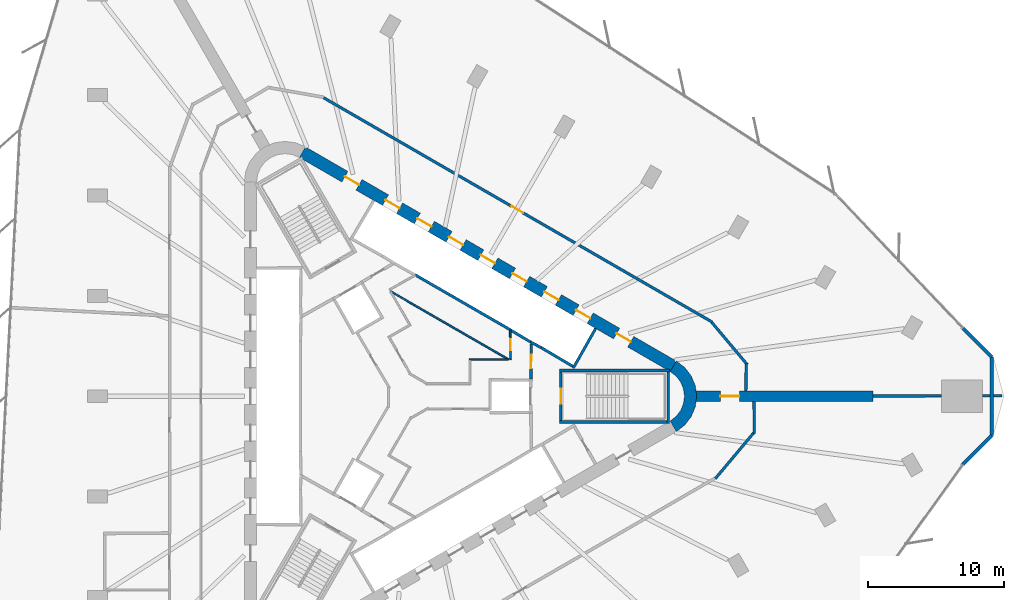
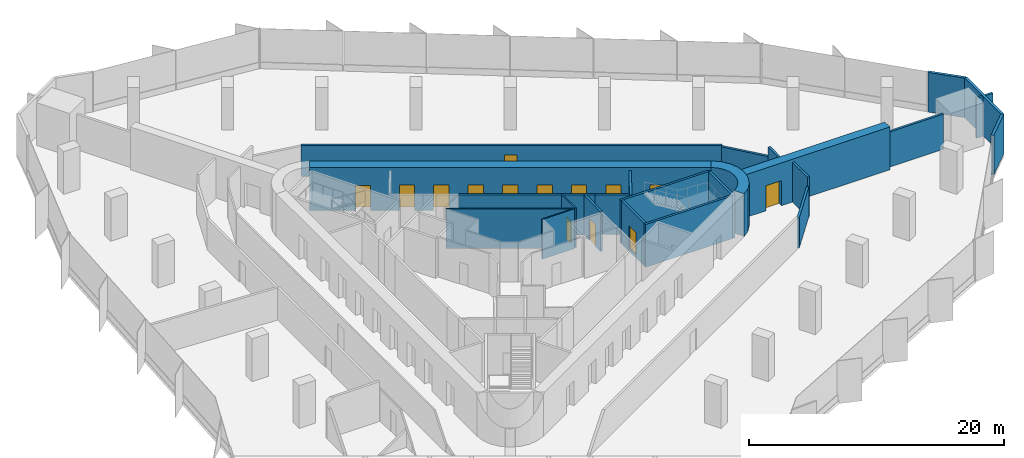
# One storey, part 12 of 14: 27 walls, 14 doors, 14 openings.
"""IFC4 building model written with IfcOpenShell, lengths in metres."""

import ifcopenshell
import ifcopenshell.guid

model = None  # the IFC model being written
_history = None  # IfcOwnerHistory: only IFC2X3 demands one
_inside = {}  # id of a spatial element -> (the spatial element, [elements in it])
_under = {}  # id of a project, library or spatial element -> (it, [spatial elements below it])
_declared = {}  # id of a project -> (the project, [libraries it declares])
_typed = {}  # id of a type object -> (the type object, [elements of that type])
_made_of = {}  # id of a material, layer set ... -> (it, [elements and type objects made of it])


def new_model(schema):
    """Start an empty IFC model of exactly this schema.

    Asked for "IFC4X3", IfcOpenShell would pick the latest addendum, in which some entities
    have other attributes; the version numbers below select the first issue.
    IFC2X3 requires an IfcOwnerHistory on every rooted entity: one is made here for all.
    """
    global model, _history
    if schema == "IFC4X3":
        model = ifcopenshell.file(schema_version=(4, 3, 0, 0))
    else:
        model = ifcopenshell.file(schema=schema)
    _inside.clear()
    _under.clear()
    _declared.clear()
    _typed.clear()
    _made_of.clear()
    _history = None
    if model.schema == "IFC2X3":
        org = make("IfcOrganization", Name="unknown")
        user = make(
            "IfcPersonAndOrganization",
            ThePerson=make("IfcPerson", FamilyName="unknown"),
            TheOrganization=org,
        )
        app = make(
            "IfcApplication",
            ApplicationDeveloper=org,
            Version="unknown",
            ApplicationFullName="unknown",
            ApplicationIdentifier="unknown",
        )
        _history = make(
            "IfcOwnerHistory",
            OwningUser=user,
            OwningApplication=app,
            ChangeAction="ADDED",
            CreationDate=0,
        )
    return model


def make(cls, **values):
    """One entity of the class cls with the attributes given. An attribute that is None is left unset."""
    return model.create_entity(
        cls, **{name: value for name, value in values.items() if value is not None}
    )


def rooted(cls, **values):
    """An entity with a GlobalId (a new one), such as an element, a storey or a relation."""
    return make(cls, GlobalId=ifcopenshell.guid.new(), OwnerHistory=_history, **values)


def si_unit(unit_type, name, prefix=None):
    """IfcSIUnit, for example si_unit("LENGTHUNIT", "METRE", prefix="MILLI")."""
    return make("IfcSIUnit", UnitType=unit_type, Prefix=prefix, Name=name)


def assignment(units):
    """IfcUnitAssignment: the units of a project."""
    return None if units is None else make("IfcUnitAssignment", Units=units)


def point(xyz):
    """IfcCartesianPoint."""
    return None if xyz is None else make("IfcCartesianPoint", Coordinates=xyz)


def direction(xyz):
    """IfcDirection."""
    return None if xyz is None else make("IfcDirection", DirectionRatios=xyz)


def frame(location, z_axis=None, x_axis=None):
    """IfcAxis2Placement3D, a coordinate frame: its origin and axes. An axis left out is left unset."""
    return make(
        "IfcAxis2Placement3D",
        Location=point(location),
        Axis=direction(z_axis),
        RefDirection=direction(x_axis),
    )


def frame_2d(location, x_axis=None):
    """IfcAxis2Placement2D, a coordinate frame in the plane: its origin and x axis."""
    return make(
        "IfcAxis2Placement2D", Location=point(location), RefDirection=direction(x_axis)
    )


def origin():
    """The frame at (0, 0, 0) with its axes left unset."""
    return frame((0.0, 0.0, 0.0))


def place(relative_to, where):
    """IfcLocalPlacement: puts the frame where relative to a parent placement (None: the world)."""
    return make(
        "IfcLocalPlacement", PlacementRelTo=relative_to, RelativePlacement=where
    )


def context(
    kind, dimensions, precision=None, world=None, true_north=None, identifier=None
):
    """IfcGeometricRepresentationContext, for example the 3D "Model" context."""
    return make(
        "IfcGeometricRepresentationContext",
        ContextIdentifier=identifier,
        ContextType=kind,
        CoordinateSpaceDimension=dimensions,
        Precision=precision,
        WorldCoordinateSystem=world,
        TrueNorth=true_north,
    )


def subcontext(parent, identifier, kind, view, scale=None):
    """IfcGeometricRepresentationSubContext, for example "Body" below "Model"."""
    return make(
        "IfcGeometricRepresentationSubContext",
        ContextIdentifier=identifier,
        ContextType=kind,
        ParentContext=parent,
        TargetScale=scale,
        TargetView=view,
    )


def project(units=None, contexts=None):
    """IfcProject with its units and contexts."""
    return rooted(
        "IfcProject",
        Name="project",
        RepresentationContexts=contexts,
        UnitsInContext=assignment(units),
    )


def spatial(cls, under=None, at=None, **own):
    """A site, building, storey or space (cls), placed at a placement, below another one or the project."""
    s = rooted(cls, ObjectPlacement=at, **own)
    if under is not None:
        _under.setdefault(under.id(), (under, []))[1].append(s)
    return s


def polyline(points):
    """IfcPolyline through the points."""
    return make("IfcPolyline", Points=[point(p) for p in points])


def profile(cls, at=None, kind="AREA", **sizes):
    """A parametric profile (cls). Its sizes go by their IFC names, for example OverallWidth=200.0."""
    return make(cls, ProfileType=kind, Position=at, **sizes)


def rectangle(**sizes):
    """IfcRectangleProfileDef."""
    return profile("IfcRectangleProfileDef", **sizes)


def outline(outer, holes=None, kind="AREA"):
    """IfcArbitraryClosedProfileDef: a profile drawn as a closed curve; with holes, ...WithVoids."""
    if holes is None:
        return make("IfcArbitraryClosedProfileDef", ProfileType=kind, OuterCurve=outer)
    return make(
        "IfcArbitraryProfileDefWithVoids",
        ProfileType=kind,
        OuterCurve=outer,
        InnerCurves=holes,
    )


def extrude(swept, where, along, depth):
    """IfcExtrudedAreaSolid: the profile swept, set in the frame where, extruded along a direction by depth."""
    return make(
        "IfcExtrudedAreaSolid",
        SweptArea=swept,
        Position=where,
        ExtrudedDirection=direction(along),
        Depth=depth,
    )


def shape(context_of_items, identifier, shape_type, items):
    """IfcShapeRepresentation: the items that make up one representation, for example the "Body"."""
    return make(
        "IfcShapeRepresentation",
        ContextOfItems=context_of_items,
        RepresentationIdentifier=identifier,
        RepresentationType=shape_type,
        Items=items,
    )


def material(Name=None, Category=None):
    """IfcMaterial."""
    return make("IfcMaterial", Name=Name, Category=Category)


def layer(
    of_material, thickness, ventilated=None, Name=None, Category=None, Priority=None
):
    """IfcMaterialLayer: one layer of a wall or slab, of a material (None: an air gap)."""
    return make(
        "IfcMaterialLayer",
        Material=of_material,
        LayerThickness=thickness,
        IsVentilated=ventilated,
        Name=Name,
        Category=Category,
        Priority=Priority,
    )


def layer_set(layers, Name=None):
    """IfcMaterialLayerSet."""
    return make("IfcMaterialLayerSet", MaterialLayers=layers, LayerSetName=Name)


def made_of(thing, what):
    """Note that an element or type object is made of a material, layer set ...; save() writes the relation."""
    if what is not None:
        _made_of.setdefault(what.id(), (what, []))[1].append(thing)
    return thing


def type_object(cls, material=None, **own):
    """A type object (cls), such as IfcWallType, which elements share."""
    return made_of(rooted(cls, **own), material)


def element(
    cls,
    number,
    at=None,
    inside=None,
    cuts=None,
    type_object=None,
    material=None,
    context=None,
    identifier="Body",
    shape_type=None,
    held_by="IfcProductDefinitionShape",
    body=None,
    shapes=None,
    **own,
):
    """One element of the class cls, such as IfcWall. Its Tag is "e" and its number.

    at: its placement. inside: the storey or other place that contains it. cuts: it is an
    opening in that element (IfcRelVoidsElement). A single representation is given by context,
    identifier, shape_type and body (its items); several are given by shapes. held_by: the class
    of the entity that holds the representations. save() writes the other relations.
    """
    e = rooted(cls, Tag="e%d" % number, ObjectPlacement=at, **own)
    if body is not None:
        shapes = [shape(context, identifier, shape_type, body)]
    if shapes is not None:
        e.Representation = make(held_by, Representations=shapes)
    if inside is not None:
        _inside.setdefault(inside.id(), (inside, []))[1].append(e)
    if cuts is not None:
        rooted(
            "IfcRelVoidsElement", RelatingBuildingElement=cuts, RelatedOpeningElement=e
        )
    if type_object is not None:
        _typed.setdefault(type_object.id(), (type_object, []))[1].append(e)
    return made_of(e, material)


def fill(opening, filler):
    """IfcRelFillsElement: the door or window that sits in an opening."""
    return rooted(
        "IfcRelFillsElement",
        RelatingOpeningElement=opening,
        RelatedBuildingElement=filler,
    )


def aggregate(whole, parts):
    """IfcRelAggregates: a whole, such as a stair, and the parts it consists of."""
    return rooted("IfcRelAggregates", RelatingObject=whole, RelatedObjects=parts)


def save(model, path):
    """Write the relations noted so far, then the file.

    IfcRelAggregates (storeys below a building ...), IfcRelContainedInSpatialStructure (elements
    in a storey), IfcRelDefinesByType, IfcRelAssociatesMaterial and IfcRelDeclares: one each for
    every whole, place, type object, material and project.
    """
    for whole, parts in _under.values():
        aggregate(whole, parts)
    for where, things in _inside.values():
        rooted(
            "IfcRelContainedInSpatialStructure",
            RelatedElements=things,
            RelatingStructure=where,
        )
    for kind, things in _typed.values():
        rooted("IfcRelDefinesByType", RelatedObjects=things, RelatingType=kind)
    for what, things in _made_of.values():
        rooted("IfcRelAssociatesMaterial", RelatedObjects=things, RelatingMaterial=what)
    for by, libraries in _declared.values():
        rooted("IfcRelDeclares", RelatingContext=by, RelatedDefinitions=libraries)
    model.write(path)


model = new_model("IFC4")

# Units and contexts
model_context = context("Model", 3, precision=1e-05, world=origin(), true_north=direction((0.0, 1.0)))
body_context = subcontext(model_context, "Body", "Model", "MODEL_VIEW")
ifc_project = project(units=[si_unit("LENGTHUNIT", "METRE"), si_unit("AREAUNIT", "SQUARE_METRE"), si_unit("VOLUMEUNIT", "CUBIC_METRE"), si_unit("PLANEANGLEUNIT", "RADIAN"), si_unit("MASSUNIT", "GRAM", prefix="KILO")], contexts=[model_context])

# Site, building, storey
site_placement = place(None, origin())
site = spatial("IfcSite", under=ifc_project, at=site_placement, CompositionType="ELEMENT")
building_placement = place(site_placement, origin())
building = spatial("IfcBuilding", under=site, at=building_placement, Name="Tanit Gate Tower", CompositionType="ELEMENT")
storey_placement = place(building_placement, frame((0.0, 0.0, 115.199951171875)))
storey = spatial("IfcBuildingStorey", under=building, at=storey_placement, Name="L24", CompositionType="ELEMENT", Elevation=115.199951171875)

# Wall, opening, door
ifc_material_1 = material(Name="Concrete C60/75", Category="concrete")
ifc_layer_1 = layer(ifc_material_1, 0.800048828125)
ifc_layer_set_1 = layer_set([ifc_layer_1], Name="BUTTRESS FIN 800 C60/75")
wall_type_1 = type_object("IfcWallType", Name="BUTTRESS FIN 800 C60/75", PredefinedType="SHEAR", material=ifc_layer_set_1)
wall_1_placement = place(storey_placement, frame((21.14990234375, 0.0, 0.0), z_axis=(0.0, 0.0, 1.0), x_axis=(1.0, 0.0, 0.0)))
wall_1 = element("IfcWall", 1, at=wall_1_placement, inside=storey, type_object=wall_type_1, Name="BUTTRESS FIN", PredefinedType="SHEAR", context=body_context, shape_type="SweptSolid", body=[
    extrude(rectangle(XDim=13.026611328125, YDim=0.800048828125, at=frame_2d((6.51318359375, 0.0))), origin(), (0.0, 0.0, 1.0), 4.10009765625),
])
opening_1_placement = place(wall_1_placement, frame((1.800048828125, 0.0, 0.0)))
opening_1 = element("IfcOpeningElement", 2, at=opening_1_placement, cuts=wall_1, Name="Opening P14-S05-F-E-1", PredefinedType="OPENING", context=body_context, shape_type="SweptSolid", body=[
    extrude(rectangle(XDim=1.39990234375, YDim=2.39990234375, at=frame_2d((0.699951171875, 1.199951171875))), frame((0.0, 0.41015625, 0.0), z_axis=(0.0, -1.0, 0.0), x_axis=(1.0, 0.0, 0.0)), (0.0, 0.0, 1.0), 0.820068359375),
])
ifc_material_2 = material(Name="Timber door leaf", Category="wood")
door_type_1 = type_object("IfcDoorType", Name="INT-DOOR-FIN-PAIR-1400", OperationType="NOTDEFINED", PredefinedType="NOTDEFINED", material=ifc_material_2)
door_1_placement = place(opening_1_placement, origin())
door_1 = element("IfcDoor", 3, at=door_1_placement, inside=storey, type_object=door_type_1, Name="Door P14-S05-F-E-1", OperationType="DOUBLE_DOOR_SINGLE_SWING", OverallHeight=2.39990234375, OverallWidth=1.39990234375, PredefinedType="NOTDEFINED", context=body_context, shape_type="SweptSolid", body=[
    extrude(rectangle(XDim=1.39990234375, YDim=2.39990234375, at=frame_2d((0.699951171875, 1.199951171875))), frame((0.0, 0.02490234375, 0.0), z_axis=(0.0, -1.0, 0.0), x_axis=(1.0, 0.0, 0.0)), (0.0, 0.0, 1.0), 0.050048828125),
])
fill(opening_1, door_1)

# Wall, openings, doors
ifc_material_3 = material(Name="Concrete C60/75", Category="concrete")
ifc_layer_2 = layer(ifc_material_3, 0.89990234375)
ifc_layer_set_2 = layer_set([ifc_layer_2], Name="CORE WALL 900 C60/75")
wall_type_2 = type_object("IfcWallType", Name="CORE WALL 900 C60/75", PredefinedType="SHEAR", material=ifc_layer_set_2)
wall_2_placement = place(storey_placement, frame((19.47509765625, 2.20849609375, 0.0), z_axis=(0.0, 0.0, 1.0), x_axis=(-0.866028369851, 0.499994862586, 0.0)))
wall_2 = element("IfcWall", 4, at=wall_2_placement, inside=storey, type_object=wall_type_2, Name="CORE WALL", PredefinedType="SHEAR", context=body_context, shape_type="SweptSolid", body=[
    extrude(rectangle(XDim=31.523193359375, YDim=0.89990234375, at=frame_2d((15.76171875, 0.0))), origin(), (0.0, 0.0, 1.0), 4.10009765625),
])
opening_2_placement = place(wall_2_placement, frame((7.0615234375, 0.0, 0.0)))
opening_2 = element("IfcOpeningElement", 5, at=opening_2_placement, cuts=wall_2, Name="Opening LDLL8-S05", PredefinedType="OPENING", context=body_context, shape_type="SweptSolid", body=[
    extrude(rectangle(XDim=1.199951171875, YDim=2.39990234375, at=frame_2d((0.60009765625, 1.199951171875))), frame((0.0, 0.4599609375, 0.0), z_axis=(0.0, -1.0, 0.0), x_axis=(1.0, 0.0, 0.0)), (0.0, 0.0, 1.0), 0.919921875),
])
opening_3_placement = place(wall_2_placement, frame((9.76171875, 0.0, 0.0)))
opening_3 = element("IfcOpeningElement", 6, at=opening_3_placement, cuts=wall_2, Name="Opening LDLL9-S05", PredefinedType="OPENING", context=body_context, shape_type="SweptSolid", body=[
    extrude(rectangle(XDim=1.199951171875, YDim=2.39990234375, at=frame_2d((0.60009765625, 1.199951171875))), frame((0.0, 0.4599609375, 0.0), z_axis=(0.0, -1.0, 0.0), x_axis=(1.0, 0.0, 0.0)), (0.0, 0.0, 1.0), 0.919921875),
])
opening_4_placement = place(wall_2_placement, frame((12.461669921875, 0.0, 0.0)))
opening_4 = element("IfcOpeningElement", 7, at=opening_4_placement, cuts=wall_2, Name="Opening LDLL10-S05", PredefinedType="OPENING", context=body_context, shape_type="SweptSolid", body=[
    extrude(rectangle(XDim=1.199951171875, YDim=2.39990234375, at=frame_2d((0.60009765625, 1.199951171875))), frame((0.0, 0.4599609375, 0.0), z_axis=(0.0, -1.0, 0.0), x_axis=(1.0, 0.0, 0.0)), (0.0, 0.0, 1.0), 0.919921875),
])
opening_5_placement = place(wall_2_placement, frame((15.16162109375, 0.0, 0.0)))
opening_5 = element("IfcOpeningElement", 8, at=opening_5_placement, cuts=wall_2, Name="Opening LDSL1-S05", PredefinedType="OPENING", context=body_context, shape_type="SweptSolid", body=[
    extrude(rectangle(XDim=1.199951171875, YDim=2.39990234375, at=frame_2d((0.60009765625, 1.199951171875))), frame((0.0, 0.4599609375, 0.0), z_axis=(0.0, -1.0, 0.0), x_axis=(1.0, 0.0, 0.0)), (0.0, 0.0, 1.0), 0.919921875),
])
opening_6_placement = place(wall_2_placement, frame((17.861572265625, 0.0, 0.0)))
opening_6 = element("IfcOpeningElement", 9, at=opening_6_placement, cuts=wall_2, Name="Opening LDSL2-S05", PredefinedType="OPENING", context=body_context, shape_type="SweptSolid", body=[
    extrude(rectangle(XDim=1.199951171875, YDim=2.39990234375, at=frame_2d((0.60009765625, 1.199951171875))), frame((0.0, 0.4599609375, 0.0), z_axis=(0.0, -1.0, 0.0), x_axis=(1.0, 0.0, 0.0)), (0.0, 0.0, 1.0), 0.919921875),
])
opening_7_placement = place(wall_2_placement, frame((20.5615234375, 0.0, 0.0)))
opening_7 = element("IfcOpeningElement", 10, at=opening_7_placement, cuts=wall_2, Name="Opening LDSL3-S05", PredefinedType="OPENING", context=body_context, shape_type="SweptSolid", body=[
    extrude(rectangle(XDim=1.199951171875, YDim=2.39990234375, at=frame_2d((0.60009765625, 1.199951171875))), frame((0.0, 0.4599609375, 0.0), z_axis=(0.0, -1.0, 0.0), x_axis=(1.0, 0.0, 0.0)), (0.0, 0.0, 1.0), 0.919921875),
])
opening_8_placement = place(wall_2_placement, frame((23.26171875, 0.0, 0.0)))
opening_8 = element("IfcOpeningElement", 11, at=opening_8_placement, cuts=wall_2, Name="Opening LDSL4-S05", PredefinedType="OPENING", context=body_context, shape_type="SweptSolid", body=[
    extrude(rectangle(XDim=1.199951171875, YDim=2.39990234375, at=frame_2d((0.60009765625, 1.199951171875))), frame((0.0, 0.4599609375, 0.0), z_axis=(0.0, -1.0, 0.0), x_axis=(1.0, 0.0, 0.0)), (0.0, 0.0, 1.0), 0.919921875),
])
opening_9_placement = place(wall_2_placement, frame((3.611572265625, 0.0, 0.0)))
opening_9 = element("IfcOpeningElement", 12, at=opening_9_placement, cuts=wall_2, Name="Opening F12-S05-FL1", PredefinedType="OPENING", context=body_context, shape_type="SweptSolid", body=[
    extrude(rectangle(XDim=1.199951171875, YDim=2.39990234375, at=frame_2d((0.60009765625, 1.199951171875))), frame((0.0, 0.4599609375, 0.0), z_axis=(0.0, -1.0, 0.0), x_axis=(1.0, 0.0, 0.0)), (0.0, 0.0, 1.0), 0.919921875),
])
opening_10_placement = place(wall_2_placement, frame((26.711669921875, 0.0, 0.0)))
opening_10 = element("IfcOpeningElement", 13, at=opening_10_placement, cuts=wall_2, Name="Opening F12-S05-S2", PredefinedType="OPENING", context=body_context, shape_type="SweptSolid", body=[
    extrude(rectangle(XDim=1.199951171875, YDim=2.39990234375, at=frame_2d((0.60009765625, 1.199951171875))), frame((0.0, 0.4599609375, 0.0), z_axis=(0.0, -1.0, 0.0), x_axis=(1.0, 0.0, 0.0)), (0.0, 0.0, 1.0), 0.919921875),
])
ifc_material_4 = material(Name="Fire-rated steel door leaf", Category="steel")
door_type_2 = type_object("IfcDoorType", Name="INT-DOOR-FIRE-LOBBY-1200", OperationType="NOTDEFINED", PredefinedType="USERDEFINED", material=ifc_material_4)
door_2_placement = place(opening_9_placement, origin())
door_2 = element("IfcDoor", 14, at=door_2_placement, inside=storey, type_object=door_type_2, Name="Door F12-S05-FL1", ObjectType="FIRE DOOR", OperationType="SINGLE_SWING_LEFT", OverallHeight=2.39990234375, OverallWidth=1.199951171875, PredefinedType="USERDEFINED", context=body_context, shape_type="SweptSolid", body=[
    extrude(rectangle(XDim=1.199951171875, YDim=2.39990234375, at=frame_2d((0.60009765625, 1.199951171875))), frame((0.0, 0.02490234375, 0.0), z_axis=(0.0, -1.0, 0.0), x_axis=(1.0, 0.0, 0.0)), (0.0, 0.0, 1.0), 0.050048828125),
])
fill(opening_9, door_2)
door_3_placement = place(opening_10_placement, origin())
door_3 = element("IfcDoor", 15, at=door_3_placement, inside=storey, type_object=door_type_2, Name="Door F12-S05-S2", ObjectType="FIRE DOOR", OperationType="SINGLE_SWING_LEFT", OverallHeight=2.39990234375, OverallWidth=1.199951171875, PredefinedType="USERDEFINED", context=body_context, shape_type="SweptSolid", body=[
    extrude(rectangle(XDim=1.199951171875, YDim=2.39990234375, at=frame_2d((0.60009765625, 1.199951171875))), frame((0.0, 0.02490234375, 0.0), z_axis=(0.0, -1.0, 0.0), x_axis=(1.0, 0.0, 0.0)), (0.0, 0.0, 1.0), 0.050048828125),
])
fill(opening_10, door_3)
ifc_material_5 = material(Name="Stainless steel sliding door leaf", Category="steel")
door_type_3 = type_object("IfcDoorType", Name="INT-DOOR-LANDING-1200", OperationType="NOTDEFINED", PredefinedType="USERDEFINED", material=ifc_material_5)
door_4_placement = place(opening_2_placement, origin())
door_4 = element("IfcDoor", 16, at=door_4_placement, inside=storey, type_object=door_type_3, Name="Door LDLL8-S05", ObjectType="LANDING DOOR", OperationType="SLIDING_TO_LEFT", OverallHeight=2.39990234375, OverallWidth=1.199951171875, PredefinedType="USERDEFINED", context=body_context, shape_type="SweptSolid", body=[
    extrude(rectangle(XDim=1.199951171875, YDim=2.39990234375, at=frame_2d((0.60009765625, 1.199951171875))), frame((0.0, 0.02490234375, 0.0), z_axis=(0.0, -1.0, 0.0), x_axis=(1.0, 0.0, 0.0)), (0.0, 0.0, 1.0), 0.050048828125),
])
fill(opening_2, door_4)
door_5_placement = place(opening_3_placement, origin())
door_5 = element("IfcDoor", 17, at=door_5_placement, inside=storey, type_object=door_type_3, Name="Door LDLL9-S05", ObjectType="LANDING DOOR", OperationType="SLIDING_TO_LEFT", OverallHeight=2.39990234375, OverallWidth=1.199951171875, PredefinedType="USERDEFINED", context=body_context, shape_type="SweptSolid", body=[
    extrude(rectangle(XDim=1.199951171875, YDim=2.39990234375, at=frame_2d((0.60009765625, 1.199951171875))), frame((0.0, 0.02490234375, 0.0), z_axis=(0.0, -1.0, 0.0), x_axis=(1.0, 0.0, 0.0)), (0.0, 0.0, 1.0), 0.050048828125),
])
fill(opening_3, door_5)
door_6_placement = place(opening_4_placement, origin())
door_6 = element("IfcDoor", 18, at=door_6_placement, inside=storey, type_object=door_type_3, Name="Door LDLL10-S05", ObjectType="LANDING DOOR", OperationType="SLIDING_TO_LEFT", OverallHeight=2.39990234375, OverallWidth=1.199951171875, PredefinedType="USERDEFINED", context=body_context, shape_type="SweptSolid", body=[
    extrude(rectangle(XDim=1.199951171875, YDim=2.39990234375, at=frame_2d((0.60009765625, 1.199951171875))), frame((0.0, 0.02490234375, 0.0), z_axis=(0.0, -1.0, 0.0), x_axis=(1.0, 0.0, 0.0)), (0.0, 0.0, 1.0), 0.050048828125),
])
fill(opening_4, door_6)
door_7_placement = place(opening_5_placement, origin())
door_7 = element("IfcDoor", 19, at=door_7_placement, inside=storey, type_object=door_type_3, Name="Door LDSL1-S05", ObjectType="LANDING DOOR", OperationType="SLIDING_TO_LEFT", OverallHeight=2.39990234375, OverallWidth=1.199951171875, PredefinedType="USERDEFINED", context=body_context, shape_type="SweptSolid", body=[
    extrude(rectangle(XDim=1.199951171875, YDim=2.39990234375, at=frame_2d((0.60009765625, 1.199951171875))), frame((0.0, 0.02490234375, 0.0), z_axis=(0.0, -1.0, 0.0), x_axis=(1.0, 0.0, 0.0)), (0.0, 0.0, 1.0), 0.050048828125),
])
fill(opening_5, door_7)
door_8_placement = place(opening_6_placement, origin())
door_8 = element("IfcDoor", 20, at=door_8_placement, inside=storey, type_object=door_type_3, Name="Door LDSL2-S05", ObjectType="LANDING DOOR", OperationType="SLIDING_TO_LEFT", OverallHeight=2.39990234375, OverallWidth=1.199951171875, PredefinedType="USERDEFINED", context=body_context, shape_type="SweptSolid", body=[
    extrude(rectangle(XDim=1.199951171875, YDim=2.39990234375, at=frame_2d((0.60009765625, 1.199951171875))), frame((0.0, 0.02490234375, 0.0), z_axis=(0.0, -1.0, 0.0), x_axis=(1.0, 0.0, 0.0)), (0.0, 0.0, 1.0), 0.050048828125),
])
fill(opening_6, door_8)
door_9_placement = place(opening_7_placement, origin())
door_9 = element("IfcDoor", 21, at=door_9_placement, inside=storey, type_object=door_type_3, Name="Door LDSL3-S05", ObjectType="LANDING DOOR", OperationType="SLIDING_TO_LEFT", OverallHeight=2.39990234375, OverallWidth=1.199951171875, PredefinedType="USERDEFINED", context=body_context, shape_type="SweptSolid", body=[
    extrude(rectangle(XDim=1.199951171875, YDim=2.39990234375, at=frame_2d((0.60009765625, 1.199951171875))), frame((0.0, 0.02490234375, 0.0), z_axis=(0.0, -1.0, 0.0), x_axis=(1.0, 0.0, 0.0)), (0.0, 0.0, 1.0), 0.050048828125),
])
fill(opening_7, door_9)
door_10_placement = place(opening_8_placement, origin())
door_10 = element("IfcDoor", 22, at=door_10_placement, inside=storey, type_object=door_type_3, Name="Door LDSL4-S05", ObjectType="LANDING DOOR", OperationType="SLIDING_TO_LEFT", OverallHeight=2.39990234375, OverallWidth=1.199951171875, PredefinedType="USERDEFINED", context=body_context, shape_type="SweptSolid", body=[
    extrude(rectangle(XDim=1.199951171875, YDim=2.39990234375, at=frame_2d((0.60009765625, 1.199951171875))), frame((0.0, 0.02490234375, 0.0), z_axis=(0.0, -1.0, 0.0), x_axis=(1.0, 0.0, 0.0)), (0.0, 0.0, 1.0), 0.050048828125),
])
fill(opening_8, door_10)

# Walls
wall_3_placement = place(storey_placement, origin())
element("IfcWall", 23, at=wall_3_placement, inside=storey, type_object=wall_type_2, Name="CORE WALL CORNER", PredefinedType="SHEAR", context=body_context, shape_type="SweptSolid", body=[
    extrude(outline(polyline([(19.699951171875, -2.59814453125), (20.3212890625, -2.121337890625), (20.798095703125, -1.5), (21.097900390625, -0.776611328125), (21.199951171875, 0.0), (21.097900390625, 0.776611328125), (20.798095703125, 1.5), (20.3212890625, 2.121337890625), (19.699951171875, 2.59814453125), (19.25, 1.818603515625), (19.684814453125, 1.48486328125), (20.018798828125, 1.050048828125), (20.228515625, 0.54345703125), (20.300048828125, 0.0), (20.228515625, -0.54345703125), (20.018798828125, -1.050048828125), (19.684814453125, -1.48486328125), (19.25, -1.818603515625), (19.699951171875, -2.59814453125)])), origin(), (0.0, 0.0, 1.0), 4.10009765625),
])
ifc_material_6 = material(Name="Concrete C30/37 with bronze anodised aluminium cladding", Category="concrete")
ifc_layer_3 = layer(ifc_material_6, 0.239990234375)
ifc_layer_set_3 = layer_set([ifc_layer_3], Name="Facade wall bronze clad 240")
wall_type_3 = type_object("IfcWallType", Name="Facade wall bronze clad 240", PredefinedType="SOLIDWALL", material=ifc_layer_set_3)
wall_4_placement = place(storey_placement, frame((40.783935546875, -5.02734375, 0.0), z_axis=(0.0, 0.0, 1.0), x_axis=(0.707106781187, 0.707106781187, 0.0)))
element("IfcWall", 24, at=wall_4_placement, inside=storey, type_object=wall_type_3, Name="Bronze-clad facade wall L24 E.arc1", PredefinedType="SOLIDWALL", context=body_context, shape_type="SweptSolid", body=[
    extrude(rectangle(XDim=3.029052734375, YDim=0.239990234375, at=frame_2d((1.5146484375, 0.0))), origin(), (0.0, 0.0, 1.0), 3.800048828125),
])
wall_5_placement = place(storey_placement, frame((42.92578125, -2.885498046875, 0.0), z_axis=(0.0, 0.0, 1.0), x_axis=(0.0, 1.0, 0.0)))
element("IfcWall", 25, at=wall_5_placement, inside=storey, type_object=wall_type_3, Name="Bronze-clad facade wall L24 E.arc2", PredefinedType="SOLIDWALL", context=body_context, shape_type="SweptSolid", body=[
    extrude(rectangle(XDim=5.77099609375, YDim=0.239990234375, at=frame_2d((2.885498046875, 0.0))), origin(), (0.0, 0.0, 1.0), 3.800048828125),
])
wall_6_placement = place(storey_placement, frame((42.92578125, 2.885498046875, 0.0), z_axis=(0.0, 0.0, 1.0), x_axis=(-0.707147188443, 0.707066371621, 0.0)))
element("IfcWall", 26, at=wall_6_placement, inside=storey, type_object=wall_type_3, Name="Bronze-clad facade wall L24 E.arc3", PredefinedType="SOLIDWALL", context=body_context, shape_type="SweptSolid", body=[
    extrude(rectangle(XDim=3.02099609375, YDim=0.239990234375, at=frame_2d((1.510498046875, 0.0))), origin(), (0.0, 0.0, 1.0), 3.800048828125),
])

# Wall, opening, door
ifc_material_7 = material(Name="Fire-rated gypsum board partition")
ifc_layer_4 = layer(ifc_material_7, 0.199951171875)
ifc_layer_set_4 = layer_set([ifc_layer_4], Name="INT-WALL-COMPARTMENT")
wall_type_4 = type_object("IfcWallType", Name="INT-WALL-COMPARTMENT", PredefinedType="PARTITIONING", material=ifc_layer_set_4)
wall_7_placement = place(storey_placement, frame((9.0009765625, 1.27001953125, 0.0), z_axis=(0.0, 0.0, 1.0), x_axis=(0.010783593937, 0.99994185536, 0.0)))
wall_7 = element("IfcWall", 27, at=wall_7_placement, inside=storey, type_object=wall_type_4, Name="Wall Compartment W060", PredefinedType="PARTITIONING", context=body_context, shape_type="SweptSolid", body=[
    extrude(rectangle(XDim=2.5810546875, YDim=0.199951171875, at=frame_2d((1.29052734375, 0.0))), origin(), (0.0, 0.0, 1.0), 3.800048828125),
])
opening_11_placement = place(wall_7_placement, frame((0.79052734375, 0.0, 0.0)))
opening_11 = element("IfcOpeningElement", 28, at=opening_11_placement, cuts=wall_7, Name="Opening F10-S05-02", PredefinedType="OPENING", context=body_context, shape_type="SweptSolid", body=[
    extrude(rectangle(XDim=1.0, YDim=2.10009765625, at=frame_2d((0.5, 1.050048828125))), frame((0.0, 0.10986328125, 0.0), z_axis=(0.0, -1.0, 0.0), x_axis=(1.0, 0.0, 0.0)), (0.0, 0.0, 1.0), 0.219970703125),
])
ifc_material_8 = material(Name="Fire-rated steel door leaf", Category="steel")
door_type_4 = type_object("IfcDoorType", Name="INT-DOOR-FIRE-1000", OperationType="NOTDEFINED", PredefinedType="USERDEFINED", material=ifc_material_8)
door_11_placement = place(opening_11_placement, origin())
door_11 = element("IfcDoor", 29, at=door_11_placement, inside=storey, type_object=door_type_4, Name="Door F10-S05-02", ObjectType="FIRE DOOR", OperationType="SINGLE_SWING_LEFT", OverallHeight=2.10009765625, OverallWidth=1.0, PredefinedType="USERDEFINED", context=body_context, shape_type="SweptSolid", body=[
    extrude(rectangle(XDim=1.0, YDim=2.10009765625, at=frame_2d((0.5, 1.050048828125))), frame((0.0, 0.02490234375, 0.0), z_axis=(0.0, -1.0, 0.0), x_axis=(1.0, 0.0, 0.0)), (0.0, 0.0, 1.0), 0.050048828125),
])
fill(opening_11, door_11)

wall_8_placement = place(storey_placement, frame((22.335693359375, 5.46435546875, 0.0), z_axis=(0.0, 0.0, 1.0), x_axis=(-0.866027503332, 0.499996363459, 0.0)))
wall_8 = element("IfcWall", 30, at=wall_8_placement, inside=storey, type_object=wall_type_4, Name="Wall Compartment W101", PredefinedType="PARTITIONING", context=body_context, shape_type="SweptSolid", body=[
    extrude(rectangle(XDim=33.022216796875, YDim=0.199951171875, at=frame_2d((16.51123046875, 0.0))), origin(), (0.0, 0.0, 1.0), 2.97998046875),
])
opening_12_placement = place(wall_8_placement, frame((16.06103515625, 0.0, 0.0)))
opening_12 = element("IfcOpeningElement", 31, at=opening_12_placement, cuts=wall_8, Name="Opening F10-S05-22", PredefinedType="OPENING", context=body_context, shape_type="SweptSolid", body=[
    extrude(rectangle(XDim=1.0, YDim=2.10009765625, at=frame_2d((0.5, 1.050048828125))), frame((0.0, 0.10986328125, 0.0), z_axis=(0.0, -1.0, 0.0), x_axis=(1.0, 0.0, 0.0)), (0.0, 0.0, 1.0), 0.219970703125),
])
door_12_placement = place(opening_12_placement, origin())
door_12 = element("IfcDoor", 32, at=door_12_placement, inside=storey, type_object=door_type_4, Name="Door F10-S05-22", ObjectType="FIRE DOOR", OperationType="SINGLE_SWING_RIGHT", OverallHeight=2.10009765625, OverallWidth=1.0, PredefinedType="USERDEFINED", context=body_context, shape_type="SweptSolid", body=[
    extrude(rectangle(XDim=1.0, YDim=2.10009765625, at=frame_2d((0.5, 1.050048828125))), frame((0.0, 0.02490234375, 0.0), z_axis=(0.0, -1.0, 0.0), x_axis=(1.0, 0.0, 0.0)), (0.0, 0.0, 1.0), 0.050048828125),
])
fill(opening_12, door_12)

# Walls
wall_9_placement = place(storey_placement, frame((24.9208984375, 2.330078125, 0.0), z_axis=(0.0, 0.0, 1.0), x_axis=(-0.642791169301, 0.766041456234, 0.0)))
element("IfcWall", 33, at=wall_9_placement, inside=storey, type_object=wall_type_4, Name="Wall Compartment W102", PredefinedType="PARTITIONING", context=body_context, shape_type="SweptSolid", body=[
    extrude(rectangle(XDim=4.056884765625, YDim=0.199951171875, at=frame_2d((2.0283203125, 0.0))), origin(), (0.0, 0.0, 1.0), 2.880126953125),
])
wall_10_placement = place(storey_placement, frame((24.8212890625, 0.39990234375, 0.0), z_axis=(0.0, 0.0, 1.0), x_axis=(0.01239062247, 0.999923233291, 0.0)))
element("IfcWall", 34, at=wall_10_placement, inside=storey, type_object=wall_type_4, Name="Wall Compartment W103", PredefinedType="PARTITIONING", context=body_context, shape_type="SweptSolid", body=[
    extrude(rectangle(XDim=1.970458984375, YDim=0.199951171875, at=frame_2d((0.9853515625, 0.0))), origin(), (0.0, 0.0, 1.0), 3.800048828125),
])
wall_11_placement = place(storey_placement, frame((25.447509765625, -2.75390625, 0.0), z_axis=(0.0, 0.0, 1.0), x_axis=(-0.011407679147, 0.999934930311, 0.0)))
element("IfcWall", 35, at=wall_11_placement, inside=storey, type_object=wall_type_4, Name="Wall Compartment W104", PredefinedType="PARTITIONING", context=body_context, shape_type="SweptSolid", body=[
    extrude(rectangle(XDim=2.354248046875, YDim=0.199951171875, at=frame_2d((1.17724609375, 0.0))), origin(), (0.0, 0.0, 1.0), 3.800048828125),
])
wall_12_placement = place(storey_placement, frame((22.576416015625, -6.0576171875, 0.0), z_axis=(0.0, 0.0, 1.0), x_axis=(0.642769295272, 0.766059810364, 0.0)))
element("IfcWall", 36, at=wall_12_placement, inside=storey, type_object=wall_type_4, Name="Wall Compartment W105", PredefinedType="PARTITIONING", context=body_context, shape_type="SweptSolid", body=[
    extrude(rectangle(XDim=4.415771484375, YDim=0.199951171875, at=frame_2d((2.2080078125, 0.0))), origin(), (0.0, 0.0, 1.0), 2.880126953125),
])
wall_13_placement = place(storey_placement, frame((34.176513671875, 0.01904296875, 0.0), z_axis=(0.0, 0.0, 1.0), x_axis=(0.999997630425, 0.002176957736, 0.0)))
element("IfcWall", 37, at=wall_13_placement, inside=storey, type_object=wall_type_4, Name="Wall Compartment W122", PredefinedType="PARTITIONING", context=body_context, shape_type="SweptSolid", body=[
    extrude(rectangle(XDim=5.046630859375, YDim=0.199951171875, at=frame_2d((2.5234375, 0.0))), origin(), (0.0, 0.0, 1.0), 3.3701171875),
])
wall_14_placement = place(storey_placement, frame((42.22314453125, 0.030029296875, 0.0), z_axis=(0.0, 0.0, 1.0), x_axis=(1.0, 0.0, 0.0)))
element("IfcWall", 38, at=wall_14_placement, inside=storey, type_object=wall_type_4, Name="Wall Compartment W123", PredefinedType="PARTITIONING", context=body_context, shape_type="SweptSolid", body=[
    extrude(rectangle(XDim=0.58251953125, YDim=0.199951171875, at=frame_2d((0.291259765625, 0.0))), origin(), (0.0, 0.0, 1.0), 3.800048828125),
])
wall_15_placement = place(storey_placement, frame((43.045654296875, 0.030029296875, 0.0), z_axis=(0.0, 0.0, 1.0), x_axis=(1.0, 0.0, 0.0)))
element("IfcWall", 39, at=wall_15_placement, inside=storey, type_object=wall_type_4, Name="Wall Compartment W123x1", PredefinedType="PARTITIONING", context=body_context, shape_type="SweptSolid", body=[
    extrude(rectangle(XDim=0.645263671875, YDim=0.199951171875, at=frame_2d((0.32275390625, 0.0))), origin(), (0.0, 0.0, 1.0), 3.800048828125),
])
ifc_material_9 = material(Name="Gypsum board partition")
ifc_layer_5 = layer(ifc_material_9, 0.1201171875)
ifc_layer_set_5 = layer_set([ifc_layer_5], Name="INT-WALL-PARTITION")
wall_type_5 = type_object("IfcWallType", Name="INT-WALL-PARTITION", PredefinedType="PARTITIONING", material=ifc_layer_set_5)
wall_16_placement = place(storey_placement, frame((7.36669921875, 2.699951171875, 0.0), z_axis=(0.0, 0.0, 1.0), x_axis=(-0.866027158831, 0.499996960157, 0.0)))
element("IfcWall", 40, at=wall_16_placement, inside=storey, type_object=wall_type_5, Name="Wall Partition W074", PredefinedType="PARTITIONING", context=body_context, shape_type="SweptSolid", body=[
    extrude(rectangle(XDim=10.0595703125, YDim=0.1201171875, at=frame_2d((5.02978515625, 0.0))), origin(), (0.0, 0.0, 1.0), 3.800048828125),
])

# Wall, opening, door
wall_17_placement = place(storey_placement, frame((7.5, 2.699951171875, 0.0), z_axis=(0.0, 0.0, 1.0), x_axis=(-0.011729398337, 0.999931208241, 0.0)))
wall_17 = element("IfcWall", 41, at=wall_17_placement, inside=storey, type_object=wall_type_5, Name="Wall Partition W076", PredefinedType="PARTITIONING", context=body_context, shape_type="SweptSolid", body=[
    extrude(rectangle(XDim=2.164794921875, YDim=0.1201171875, at=frame_2d((1.08251953125, 0.0))), origin(), (0.0, 0.0, 1.0), 3.800048828125),
])
opening_13_placement = place(wall_17_placement, frame((0.682373046875, 0.0, 0.0)))
opening_13 = element("IfcOpeningElement", 42, at=opening_13_placement, cuts=wall_17, Name="Opening R08-S05-12", PredefinedType="OPENING", context=body_context, shape_type="SweptSolid", body=[
    extrude(rectangle(XDim=0.800048828125, YDim=2.10009765625, at=frame_2d((0.39990234375, 1.050048828125))), frame((0.0, 0.070068359375, 0.0), z_axis=(0.0, -1.0, 0.0), x_axis=(1.0, 0.0, 0.0)), (0.0, 0.0, 1.0), 0.14013671875),
])
ifc_material_10 = material(Name="Timber door leaf", Category="wood")
door_type_5 = type_object("IfcDoorType", Name="INT-DOOR-RISER-800", OperationType="NOTDEFINED", PredefinedType="USERDEFINED", material=ifc_material_10)
door_13_placement = place(opening_13_placement, origin())
door_13 = element("IfcDoor", 43, at=door_13_placement, inside=storey, type_object=door_type_5, Name="Door R08-S05-12", ObjectType="FIRE DOOR", OperationType="SINGLE_SWING_LEFT", OverallHeight=2.10009765625, OverallWidth=0.800048828125, PredefinedType="USERDEFINED", context=body_context, shape_type="SweptSolid", body=[
    extrude(rectangle(XDim=0.800048828125, YDim=2.10009765625, at=frame_2d((0.39990234375, 1.050048828125))), frame((0.0, 0.02490234375, 0.0), z_axis=(0.0, -1.0, 0.0), x_axis=(1.0, 0.0, 0.0)), (0.0, 0.0, 1.0), 0.050048828125),
])
fill(opening_13, door_13)

# Walls
wall_18_placement = place(storey_placement, frame((4.43994140625, 2.699951171875, 0.0), z_axis=(0.0, 0.0, 1.0), x_axis=(1.0, 0.0, 0.0)))
element("IfcWall", 44, at=wall_18_placement, inside=storey, type_object=wall_type_5, Name="Wall Partition W077", PredefinedType="PARTITIONING", context=body_context, shape_type="SweptSolid", body=[
    extrude(rectangle(XDim=2.89697265625, YDim=0.1201171875, at=frame_2d((1.448486328125, 0.0))), origin(), (0.0, 0.0, 1.0), 3.800048828125),
])
ifc_material_11 = material(Name="Gypsum shaft wall system")
ifc_layer_6 = layer(ifc_material_11, 0.199951171875)
ifc_layer_set_6 = layer_set([ifc_layer_6], Name="INT-WALL-SHAFT")
wall_type_6 = type_object("IfcWallType", Name="INT-WALL-SHAFT", PredefinedType="PLUMBINGWALL", material=ifc_layer_set_6)
wall_19_placement = place(storey_placement, frame((7.497314453125, 4.885986328125, 0.0), z_axis=(0.0, 0.0, 1.0), x_axis=(-0.866030989016, 0.499990325971, 0.0)))
element("IfcWall", 45, at=wall_19_placement, inside=storey, type_object=wall_type_6, Name="Wall Shaft W003", PredefinedType="PLUMBINGWALL", context=body_context, shape_type="SweptSolid", body=[
    extrude(rectangle(XDim=8.099853515625, YDim=0.199951171875, at=frame_2d((4.0498046875, 0.0))), origin(), (0.0, 0.0, 1.0), 3.800048828125),
])
wall_20_placement = place(storey_placement, frame((12.10986328125, 2.07275390625, 0.0), z_axis=(0.0, 0.0, 1.0), x_axis=(0.49196600604, 0.870614408852, 0.0)))
element("IfcWall", 46, at=wall_20_placement, inside=storey, type_object=wall_type_6, Name="Wall Shaft W013", PredefinedType="PLUMBINGWALL", context=body_context, shape_type="SweptSolid", body=[
    extrude(rectangle(XDim=3.35009765625, YDim=0.199951171875, at=frame_2d((1.675048828125, 0.0))), origin(), (0.0, 0.0, 1.0), 3.800048828125),
])
wall_21_placement = place(storey_placement, frame((12.072998046875, 2.2109375, 0.0), z_axis=(0.0, 0.0, 1.0), x_axis=(-0.860438357912, 0.509554542943, 0.0)))
element("IfcWall", 47, at=wall_21_placement, inside=storey, type_object=wall_type_6, Name="Wall Shaft W014", PredefinedType="PLUMBINGWALL", context=body_context, shape_type="SweptSolid", body=[
    extrude(rectangle(XDim=2.700439453125, YDim=0.199951171875, at=frame_2d((1.35009765625, 0.0))), origin(), (0.0, 0.0, 1.0), 3.800048828125),
])
wall_22_placement = place(storey_placement, frame((9.74755859375, 3.583251953125, 0.0), z_axis=(0.0, 0.0, 1.0), x_axis=(-0.880917147855, 0.473270513147, 0.0)))
element("IfcWall", 48, at=wall_22_placement, inside=storey, type_object=wall_type_6, Name="Wall Shaft W015", PredefinedType="PLUMBINGWALL", context=body_context, shape_type="SweptSolid", body=[
    extrude(rectangle(XDim=0.8779296875, YDim=0.199951171875, at=frame_2d((0.43896484375, 0.0))), origin(), (0.0, 0.0, 1.0), 3.800048828125),
])
wall_23_placement = place(storey_placement, frame((9.07958984375, 3.93701171875, 0.0), z_axis=(0.0, 0.0, 1.0), x_axis=(-0.859981807212, 0.510324691999, 0.0)))
element("IfcWall", 49, at=wall_23_placement, inside=storey, type_object=wall_type_6, Name="Wall Shaft W016", PredefinedType="PLUMBINGWALL", context=body_context, shape_type="SweptSolid", body=[
    extrude(rectangle(XDim=1.8447265625, YDim=0.199951171875, at=frame_2d((0.92236328125, 0.0))), origin(), (0.0, 0.0, 1.0), 3.800048828125),
])
ifc_material_12 = material(Name="Concrete C40/50", Category="concrete")
ifc_layer_7 = layer(ifc_material_12, 0.199951171875)
ifc_layer_set_7 = layer_set([ifc_layer_7], Name="INT-WALL-STAIR")
wall_type_7 = type_object("IfcWallType", Name="INT-WALL-STAIR", PredefinedType="SHEAR", material=ifc_layer_set_7)
wall_24_placement = place(storey_placement, frame((19.199951171875, 1.89990234375, -0.300048828125), z_axis=(0.0, 0.0, 1.0), x_axis=(-1.0, 0.0, 0.0)))
element("IfcWall", 50, at=wall_24_placement, inside=storey, type_object=wall_type_7, Name="Wall Stair W033", PredefinedType="SHEAR", context=body_context, shape_type="SweptSolid", body=[
    extrude(rectangle(XDim=8.099853515625, YDim=0.199951171875, at=frame_2d((4.0498046875, 0.0))), origin(), (0.0, 0.0, 1.0), 4.10009765625),
])
wall_25_placement = place(storey_placement, frame((19.10009765625, -2.0, -0.300048828125), z_axis=(0.0, 0.0, 1.0), x_axis=(0.0, 1.0, 0.0)))
element("IfcWall", 51, at=wall_25_placement, inside=storey, type_object=wall_type_7, Name="Wall Stair W034", PredefinedType="SHEAR", context=body_context, shape_type="SweptSolid", body=[
    extrude(rectangle(XDim=3.800048828125, YDim=0.199951171875, at=frame_2d((1.89990234375, 0.0))), origin(), (0.0, 0.0, 1.0), 4.10009765625),
])
wall_26_placement = place(storey_placement, frame((11.10009765625, -1.89990234375, -0.300048828125), z_axis=(0.0, 0.0, 1.0), x_axis=(1.0, 0.0, 0.0)))
element("IfcWall", 52, at=wall_26_placement, inside=storey, type_object=wall_type_7, Name="Wall Stair W035", PredefinedType="SHEAR", context=body_context, shape_type="SweptSolid", body=[
    extrude(rectangle(XDim=7.89990234375, YDim=0.199951171875, at=frame_2d((3.949951171875, 0.0))), origin(), (0.0, 0.0, 1.0), 4.10009765625),
])

# Wall, opening, door
wall_27_placement = place(storey_placement, frame((11.199951171875, -1.800048828125, -0.300048828125), z_axis=(0.0, 0.0, 1.0), x_axis=(0.0, 1.0, 0.0)))
wall_27 = element("IfcWall", 53, at=wall_27_placement, inside=storey, type_object=wall_type_7, Name="Wall Stair W036", PredefinedType="SHEAR", context=body_context, shape_type="SweptSolid", body=[
    extrude(rectangle(XDim=3.60009765625, YDim=0.199951171875, at=frame_2d((1.800048828125, 0.0))), origin(), (0.0, 0.0, 1.0), 4.10009765625),
])
opening_14_placement = place(wall_27_placement, frame((1.25, 0.0, 0.300048828125)))
opening_14 = element("IfcOpeningElement", 54, at=opening_14_placement, cuts=wall_27, Name="Opening S11-S05-01", PredefinedType="OPENING", context=body_context, shape_type="SweptSolid", body=[
    extrude(rectangle(XDim=1.10009765625, YDim=2.10009765625, at=frame_2d((0.550048828125, 1.050048828125))), frame((0.0, 0.10986328125, 0.0), z_axis=(0.0, -1.0, 0.0), x_axis=(1.0, 0.0, 0.0)), (0.0, 0.0, 1.0), 0.219970703125),
])
ifc_material_13 = material(Name="Timber door leaf", Category="wood")
door_type_6 = type_object("IfcDoorType", Name="INT-DOOR-STAIR-1100", OperationType="NOTDEFINED", PredefinedType="USERDEFINED", material=ifc_material_13)
door_14_placement = place(opening_14_placement, origin())
door_14 = element("IfcDoor", 55, at=door_14_placement, inside=storey, type_object=door_type_6, Name="Door S11-S05-01", ObjectType="FIRE DOOR", OperationType="SINGLE_SWING_RIGHT", OverallHeight=2.10009765625, OverallWidth=1.10009765625, PredefinedType="USERDEFINED", context=body_context, shape_type="SweptSolid", body=[
    extrude(rectangle(XDim=1.10009765625, YDim=2.10009765625, at=frame_2d((0.550048828125, 1.050048828125))), frame((0.0, 0.02490234375, 0.0), z_axis=(0.0, -1.0, 0.0), x_axis=(1.0, 0.0, 0.0)), (0.0, 0.0, 1.0), 0.050048828125),
])
fill(opening_14, door_14)

save(model, "model.ifc")
